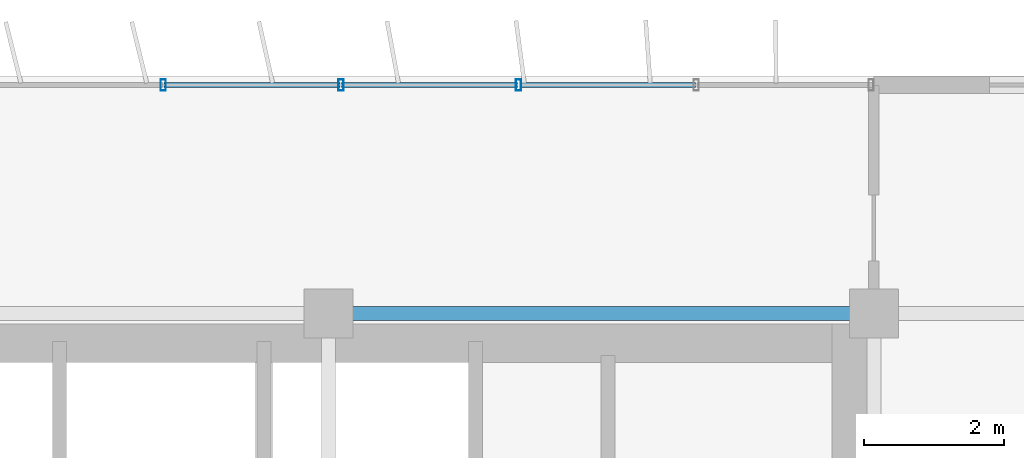
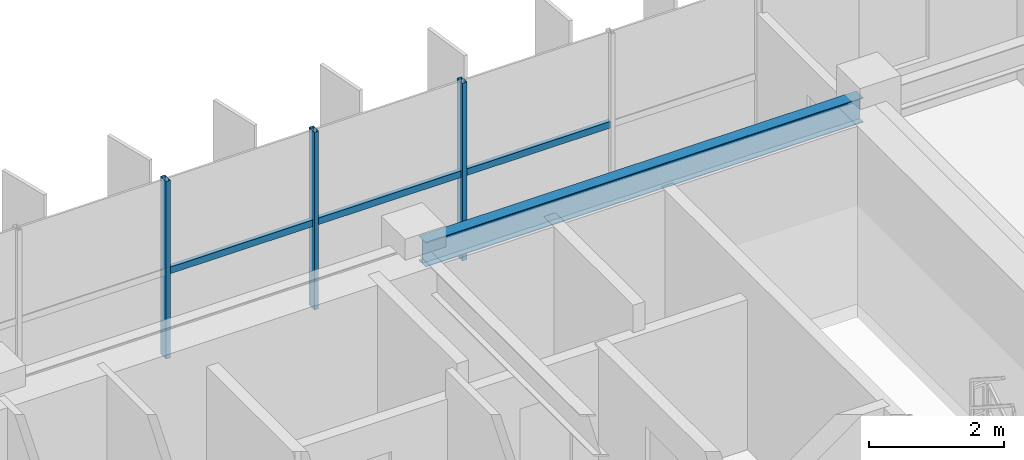
# One storey, part 16 of 27: 6 members, 1 beam, 1 element without a shape of its own.
"""IFC4 building model written with IfcOpenShell, lengths in metres."""

import ifcopenshell
import ifcopenshell.guid

model = None  # the IFC model being written
_history = None  # IfcOwnerHistory: only IFC2X3 demands one
_inside = {}  # id of a spatial element -> (the spatial element, [elements in it])
_under = {}  # id of a project, library or spatial element -> (it, [spatial elements below it])
_declared = {}  # id of a project -> (the project, [libraries it declares])
_typed = {}  # id of a type object -> (the type object, [elements of that type])
_made_of = {}  # id of a material, layer set ... -> (it, [elements and type objects made of it])


def new_model(schema):
    """Start an empty IFC model of exactly this schema.

    Asked for "IFC4X3", IfcOpenShell would pick the latest addendum, in which some entities
    have other attributes; the version numbers below select the first issue.
    IFC2X3 requires an IfcOwnerHistory on every rooted entity: one is made here for all.
    """
    global model, _history
    if schema == "IFC4X3":
        model = ifcopenshell.file(schema_version=(4, 3, 0, 0))
    else:
        model = ifcopenshell.file(schema=schema)
    _inside.clear()
    _under.clear()
    _declared.clear()
    _typed.clear()
    _made_of.clear()
    _history = None
    if model.schema == "IFC2X3":
        org = make("IfcOrganization", Name="unknown")
        user = make(
            "IfcPersonAndOrganization",
            ThePerson=make("IfcPerson", FamilyName="unknown"),
            TheOrganization=org,
        )
        app = make(
            "IfcApplication",
            ApplicationDeveloper=org,
            Version="unknown",
            ApplicationFullName="unknown",
            ApplicationIdentifier="unknown",
        )
        _history = make(
            "IfcOwnerHistory",
            OwningUser=user,
            OwningApplication=app,
            ChangeAction="ADDED",
            CreationDate=0,
        )
    return model


def make(cls, **values):
    """One entity of the class cls with the attributes given. An attribute that is None is left unset."""
    return model.create_entity(
        cls, **{name: value for name, value in values.items() if value is not None}
    )


def rooted(cls, **values):
    """An entity with a GlobalId (a new one), such as an element, a storey or a relation."""
    return make(cls, GlobalId=ifcopenshell.guid.new(), OwnerHistory=_history, **values)


def si_unit(unit_type, name, prefix=None):
    """IfcSIUnit, for example si_unit("LENGTHUNIT", "METRE", prefix="MILLI")."""
    return make("IfcSIUnit", UnitType=unit_type, Prefix=prefix, Name=name)


def assignment(units):
    """IfcUnitAssignment: the units of a project."""
    return None if units is None else make("IfcUnitAssignment", Units=units)


def point(xyz):
    """IfcCartesianPoint."""
    return None if xyz is None else make("IfcCartesianPoint", Coordinates=xyz)


def direction(xyz):
    """IfcDirection."""
    return None if xyz is None else make("IfcDirection", DirectionRatios=xyz)


def frame(location, z_axis=None, x_axis=None):
    """IfcAxis2Placement3D, a coordinate frame: its origin and axes. An axis left out is left unset."""
    return make(
        "IfcAxis2Placement3D",
        Location=point(location),
        Axis=direction(z_axis),
        RefDirection=direction(x_axis),
    )


def frame_2d(location, x_axis=None):
    """IfcAxis2Placement2D, a coordinate frame in the plane: its origin and x axis."""
    return make(
        "IfcAxis2Placement2D", Location=point(location), RefDirection=direction(x_axis)
    )


def origin():
    """The frame at (0, 0, 0) with its axes left unset."""
    return frame((0.0, 0.0, 0.0))


def origin_2d():
    """The frame at (0, 0) in the plane with its x axis left unset."""
    return frame_2d((0.0, 0.0))


def place(relative_to, where):
    """IfcLocalPlacement: puts the frame where relative to a parent placement (None: the world)."""
    return make(
        "IfcLocalPlacement", PlacementRelTo=relative_to, RelativePlacement=where
    )


def context(
    kind, dimensions, precision=None, world=None, true_north=None, identifier=None
):
    """IfcGeometricRepresentationContext, for example the 3D "Model" context."""
    return make(
        "IfcGeometricRepresentationContext",
        ContextIdentifier=identifier,
        ContextType=kind,
        CoordinateSpaceDimension=dimensions,
        Precision=precision,
        WorldCoordinateSystem=world,
        TrueNorth=true_north,
    )


def subcontext(parent, identifier, kind, view, scale=None):
    """IfcGeometricRepresentationSubContext, for example "Body" below "Model"."""
    return make(
        "IfcGeometricRepresentationSubContext",
        ContextIdentifier=identifier,
        ContextType=kind,
        ParentContext=parent,
        TargetScale=scale,
        TargetView=view,
    )


def project(units=None, contexts=None):
    """IfcProject with its units and contexts."""
    return rooted(
        "IfcProject",
        Name="project",
        RepresentationContexts=contexts,
        UnitsInContext=assignment(units),
    )


def spatial(cls, under=None, at=None, **own):
    """A site, building, storey or space (cls), placed at a placement, below another one or the project."""
    s = rooted(cls, ObjectPlacement=at, **own)
    if under is not None:
        _under.setdefault(under.id(), (under, []))[1].append(s)
    return s


def profile(cls, at=None, kind="AREA", **sizes):
    """A parametric profile (cls). Its sizes go by their IFC names, for example OverallWidth=200.0."""
    return make(cls, ProfileType=kind, Position=at, **sizes)


def hollow_rectangle(**sizes):
    """IfcRectangleHollowProfileDef."""
    return profile("IfcRectangleHollowProfileDef", **sizes)


def i_section(**sizes):
    """IfcIShapeProfileDef."""
    return profile("IfcIShapeProfileDef", **sizes)


def extrude(swept, where, along, depth):
    """IfcExtrudedAreaSolid: the profile swept, set in the frame where, extruded along a direction by depth."""
    return make(
        "IfcExtrudedAreaSolid",
        SweptArea=swept,
        Position=where,
        ExtrudedDirection=direction(along),
        Depth=depth,
    )


def shape(context_of_items, identifier, shape_type, items):
    """IfcShapeRepresentation: the items that make up one representation, for example the "Body"."""
    return make(
        "IfcShapeRepresentation",
        ContextOfItems=context_of_items,
        RepresentationIdentifier=identifier,
        RepresentationType=shape_type,
        Items=items,
    )


def source(mapping_origin, context_of_items, identifier, shape_type, items):
    """IfcRepresentationMap: a shape defined once, which mapped items show again and again."""
    return make(
        "IfcRepresentationMap",
        MappingOrigin=mapping_origin,
        MappedRepresentation=shape(context_of_items, identifier, shape_type, items),
    )


def transform(
    local_origin,
    x_axis=None,
    y_axis=None,
    z_axis=None,
    scale=None,
    scale2=None,
    scale3=None,
    uniform=True,
):
    """IfcCartesianTransformationOperator3D, or its non-uniform kind. x_axis, y_axis, z_axis: its Axis1, 2, 3."""
    if uniform:
        return make(
            "IfcCartesianTransformationOperator3D",
            Axis1=direction(x_axis),
            Axis2=direction(y_axis),
            LocalOrigin=point(local_origin),
            Scale=scale,
            Axis3=direction(z_axis),
        )
    return make(
        "IfcCartesianTransformationOperator3DnonUniform",
        Axis1=direction(x_axis),
        Axis2=direction(y_axis),
        LocalOrigin=point(local_origin),
        Scale=scale,
        Axis3=direction(z_axis),
        Scale2=scale2,
        Scale3=scale3,
    )


def mapped(mapping_source, mapping_target):
    """IfcMappedItem: shows the shape of a source again, moved by a transform."""
    return make(
        "IfcMappedItem", MappingSource=mapping_source, MappingTarget=mapping_target
    )


def material(Name=None, Category=None):
    """IfcMaterial."""
    return make("IfcMaterial", Name=Name, Category=Category)


def material_profile(
    of_material, cross_section, Name=None, Category=None, Priority=None
):
    """IfcMaterialProfile: a cross section and its material."""
    return make(
        "IfcMaterialProfile",
        Name=Name,
        Material=of_material,
        Profile=cross_section,
        Priority=Priority,
        Category=Category,
    )


def profile_set(profiles, Name=None, composite=None):
    """IfcMaterialProfileSet."""
    return make(
        "IfcMaterialProfileSet",
        Name=Name,
        MaterialProfiles=profiles,
        CompositeProfile=composite,
    )


def made_of(thing, what):
    """Note that an element or type object is made of a material, layer set ...; save() writes the relation."""
    if what is not None:
        _made_of.setdefault(what.id(), (what, []))[1].append(thing)
    return thing


def type_object(cls, material=None, **own):
    """A type object (cls), such as IfcWallType, which elements share."""
    return made_of(rooted(cls, **own), material)


def element(
    cls,
    number,
    at=None,
    inside=None,
    cuts=None,
    type_object=None,
    material=None,
    context=None,
    identifier="Body",
    shape_type=None,
    held_by="IfcProductDefinitionShape",
    body=None,
    shapes=None,
    **own,
):
    """One element of the class cls, such as IfcWall. Its Tag is "e" and its number.

    at: its placement. inside: the storey or other place that contains it. cuts: it is an
    opening in that element (IfcRelVoidsElement). A single representation is given by context,
    identifier, shape_type and body (its items); several are given by shapes. held_by: the class
    of the entity that holds the representations. save() writes the other relations.
    """
    e = rooted(cls, Tag="e%d" % number, ObjectPlacement=at, **own)
    if body is not None:
        shapes = [shape(context, identifier, shape_type, body)]
    if shapes is not None:
        e.Representation = make(held_by, Representations=shapes)
    if inside is not None:
        _inside.setdefault(inside.id(), (inside, []))[1].append(e)
    if cuts is not None:
        rooted(
            "IfcRelVoidsElement", RelatingBuildingElement=cuts, RelatedOpeningElement=e
        )
    if type_object is not None:
        _typed.setdefault(type_object.id(), (type_object, []))[1].append(e)
    return made_of(e, material)


def aggregate(whole, parts):
    """IfcRelAggregates: a whole, such as a stair, and the parts it consists of."""
    return rooted("IfcRelAggregates", RelatingObject=whole, RelatedObjects=parts)


def save(model, path):
    """Write the relations noted so far, then the file.

    IfcRelAggregates (storeys below a building ...), IfcRelContainedInSpatialStructure (elements
    in a storey), IfcRelDefinesByType, IfcRelAssociatesMaterial and IfcRelDeclares: one each for
    every whole, place, type object, material and project.
    """
    for whole, parts in _under.values():
        aggregate(whole, parts)
    for where, things in _inside.values():
        rooted(
            "IfcRelContainedInSpatialStructure",
            RelatedElements=things,
            RelatingStructure=where,
        )
    for kind, things in _typed.values():
        rooted("IfcRelDefinesByType", RelatedObjects=things, RelatingType=kind)
    for what, things in _made_of.values():
        rooted("IfcRelAssociatesMaterial", RelatedObjects=things, RelatingMaterial=what)
    for by, libraries in _declared.values():
        rooted("IfcRelDeclares", RelatingContext=by, RelatedDefinitions=libraries)
    model.write(path)


model = new_model("IFC4")

# Units and contexts
model_context = context("Model", 3, precision=1e-05, world=origin(), true_north=direction((0.0, 1.0)))
body_context = subcontext(model_context, "Body", "Model", "MODEL_VIEW")
ifc_project = project(units=[si_unit("LENGTHUNIT", "METRE"), si_unit("AREAUNIT", "SQUARE_METRE"), si_unit("VOLUMEUNIT", "CUBIC_METRE"), si_unit("PLANEANGLEUNIT", "RADIAN"), si_unit("MASSUNIT", "GRAM", prefix="KILO")], contexts=[model_context])

# Site, building, storey
site_placement = place(None, origin())
site = spatial("IfcSite", under=ifc_project, at=site_placement, CompositionType="ELEMENT")
building_placement = place(site_placement, origin())
building = spatial("IfcBuilding", under=site, at=building_placement, Name="Trelvane Seafront Commons", CompositionType="ELEMENT")
storey_placement = place(building_placement, frame((0.0, 0.0, 237.300048828125)))
storey = spatial("IfcBuildingStorey", under=building, at=storey_placement, Name="L62", CompositionType="ELEMENT", Elevation=237.300048828125)

# Beam
ifc_material_1 = material(Name="Steel SM355 (S355)", Category="steel")
ifc_material_profile_1 = material_profile(ifc_material_1, i_section(OverallWidth=0.199951171875, OverallDepth=0.449951171875, WebThickness=0.009033203125, FlangeThickness=0.013916015625, at=origin_2d()), Name="H-450x200x9x14")
ifc_profile_set_1 = profile_set([ifc_material_profile_1], Name="Steel SM355 (S355)")
beam_type = type_object("IfcBeamType", Name="STR-SPD-H450", PredefinedType="SPANDREL", material=ifc_profile_set_1)
shared_shape_1 = source(origin(), body_context, "Body", "SweptSolid", [
    extrude(i_section(OverallWidth=0.199951171875, OverallDepth=0.449951171875, WebThickness=0.009033203125, FlangeThickness=0.013916015625, at=origin_2d()), origin(), (0.0, 0.0, 1.0), 7.5),
])
beam_placement = place(storey_placement, frame((51.14990234375, 45.10009765625, 2.994873046875), z_axis=(1.0, 0.0, 0.0), x_axis=(0.0, 1.0, 0.0)))
element("IfcBeam", 1, at=beam_placement, inside=storey, type_object=beam_type, Name="L62 Primary Girder G-27", PredefinedType="SPANDREL", context=body_context, shape_type="MappedRepresentation", body=[
    mapped(shared_shape_1, transform((0.0, 0.0, 0.0), x_axis=(1.0, 0.0, 0.0), y_axis=(0.0, 1.0, 0.0), z_axis=(0.0, 0.0, 1.0), scale=1.0)),
])

# Curtain wall, members
ifc_material_2 = material(Name="Anodised pale-silver aluminium", Category="aluminium")
curtain_wall_type = type_object("IfcCurtainWallType", Name="ARCH-CW5-UPTOWER", PredefinedType="NOTDEFINED", material=ifc_material_2)
curtain_wall_placement = place(storey_placement, origin())
curtain_wall = element("IfcCurtainWall", 2, at=curtain_wall_placement, inside=storey, type_object=curtain_wall_type, Name="CW-L62-0106", PredefinedType="NOTDEFINED")
ifc_material_profile_2 = material_profile(ifc_material_2, hollow_rectangle(XDim=0.070068359375, YDim=0.1201171875, WallThickness=0.00390625, at=origin_2d()), Name="TRAN-70x120x4")
ifc_profile_set_2 = profile_set([ifc_material_profile_2], Name="Anodised pale-silver aluminium")
member_type_1 = type_object("IfcMemberType", Name="ARCH-CW-TRAN-120", PredefinedType="USERDEFINED", material=ifc_profile_set_2)
shared_shape_2 = source(origin(), body_context, "Body", "SweptSolid", [
    extrude(hollow_rectangle(XDim=0.070068359375, YDim=0.1201171875, WallThickness=0.00390625, at=origin_2d()), origin(), (0.0, 0.0, 1.0), 2.51708984375),
])
member_1_placement = place(storey_placement, frame((51.1884765625, 48.3701171875, 1.5458984375), z_axis=(1.0, 0.0, 0.0), x_axis=(0.0, 1.0, 0.0)))
member_1 = element("IfcMember", 3, at=member_1_placement, type_object=member_type_1, Name="CW-L62-0106-T14", ObjectType="TRANSOM", PredefinedType="USERDEFINED", context=body_context, shape_type="MappedRepresentation", body=[
    mapped(shared_shape_2, transform((0.0, 0.0, 0.0), x_axis=(1.0, 0.0, 0.0), y_axis=(0.0, 1.0, 0.0), z_axis=(0.0, 0.0, 1.0), scale=1.0)),
])
shared_shape_3 = source(origin(), body_context, "Body", "SweptSolid", [
    extrude(hollow_rectangle(XDim=0.070068359375, YDim=0.1201171875, WallThickness=0.00390625, at=origin_2d()), origin(), (0.0, 0.0, 1.0), 2.517333984375),
])
member_2_placement = place(storey_placement, frame((48.647216796875, 48.3701171875, 1.5458984375), z_axis=(1.0, 0.0, 0.0), x_axis=(0.0, 1.0, 0.0)))
member_2 = element("IfcMember", 4, at=member_2_placement, type_object=member_type_1, Name="CW-L62-0106-T13", ObjectType="TRANSOM", PredefinedType="USERDEFINED", context=body_context, shape_type="MappedRepresentation", body=[
    mapped(shared_shape_3, transform((0.0, 0.0, 0.0), x_axis=(1.0, 0.0, 0.0), y_axis=(0.0, 1.0, 0.0), z_axis=(0.0, 0.0, 1.0), scale=1.0)),
])
member_3_placement = place(storey_placement, frame((53.7294921875, 48.3701171875, 1.5458984375), z_axis=(1.0, 0.0, 0.0), x_axis=(0.0, 1.0, 0.0)))
member_3 = element("IfcMember", 5, at=member_3_placement, type_object=member_type_1, Name="CW-L62-0106-T15", ObjectType="TRANSOM", PredefinedType="USERDEFINED", context=body_context, shape_type="MappedRepresentation", body=[
    mapped(shared_shape_3, transform((0.0, 0.0, 0.0), x_axis=(1.0, 0.0, 0.0), y_axis=(0.0, 1.0, 0.0), z_axis=(0.0, 0.0, 1.0), scale=1.0)),
])
ifc_material_profile_3 = material_profile(ifc_material_2, hollow_rectangle(XDim=0.074951171875, YDim=0.159912109375, WallThickness=0.00390625, at=origin_2d()), Name="MULL-75x160x4")
ifc_profile_set_3 = profile_set([ifc_material_profile_3], Name="Anodised pale-silver aluminium")
member_type_2 = type_object("IfcMemberType", Name="ARCH-CW-MULL-160", PredefinedType="MULLION", material=ifc_profile_set_3)
shared_shape_4 = source(origin(), body_context, "Body", "SweptSolid", [
    extrude(hollow_rectangle(XDim=0.074951171875, YDim=0.159912109375, WallThickness=0.00390625, at=origin_2d()), origin(), (0.0, 0.0, 1.0), 3.219970703125),
])
member_4_placement = place(storey_placement, frame((48.63525390625, 48.3701171875, 0.0), z_axis=(0.0, 0.0, 1.0), x_axis=(1.0, 0.0, 0.0)))
member_4 = element("IfcMember", 6, at=member_4_placement, type_object=member_type_2, Name="CW-L62-0106-M13", PredefinedType="MULLION", context=body_context, shape_type="MappedRepresentation", body=[
    mapped(shared_shape_4, transform((0.0, 0.0, 0.0), x_axis=(1.0, 0.0, 0.0), y_axis=(0.0, 1.0, 0.0), z_axis=(0.0, 0.0, 1.0), scale=1.0)),
])
member_5_placement = place(storey_placement, frame((51.176513671875, 48.3701171875, 0.0), z_axis=(0.0, 0.0, 1.0), x_axis=(1.0, 0.0, 0.0)))
member_5 = element("IfcMember", 7, at=member_5_placement, type_object=member_type_2, Name="CW-L62-0106-M14", PredefinedType="MULLION", context=body_context, shape_type="MappedRepresentation", body=[
    mapped(shared_shape_4, transform((0.0, 0.0, 0.0), x_axis=(1.0, 0.0, 0.0), y_axis=(0.0, 1.0, 0.0), z_axis=(0.0, 0.0, 1.0), scale=1.0)),
])
member_6_placement = place(storey_placement, frame((53.717529296875, 48.3701171875, 0.0), z_axis=(0.0, 0.0, 1.0), x_axis=(1.0, 0.0, 0.0)))
member_6 = element("IfcMember", 8, at=member_6_placement, type_object=member_type_2, Name="CW-L62-0106-M15", PredefinedType="MULLION", context=body_context, shape_type="MappedRepresentation", body=[
    mapped(shared_shape_4, transform((0.0, 0.0, 0.0), x_axis=(1.0, 0.0, 0.0), y_axis=(0.0, 1.0, 0.0), z_axis=(0.0, 0.0, 1.0), scale=1.0)),
])
aggregate(curtain_wall, [member_4, member_5, member_6, member_2, member_1, member_3])

save(model, "model.ifc")
